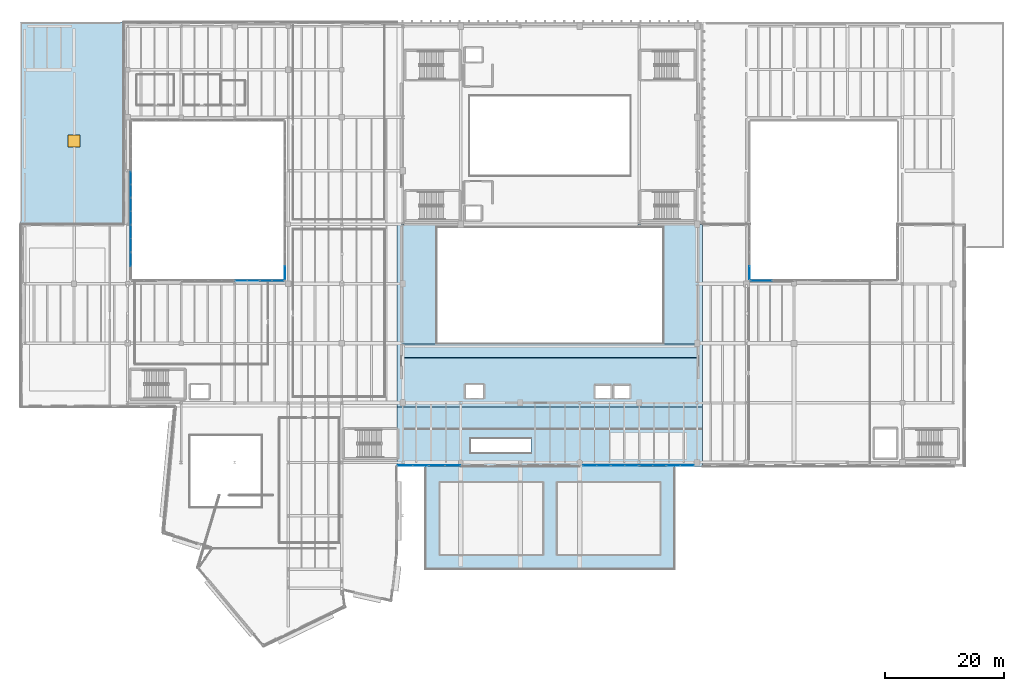
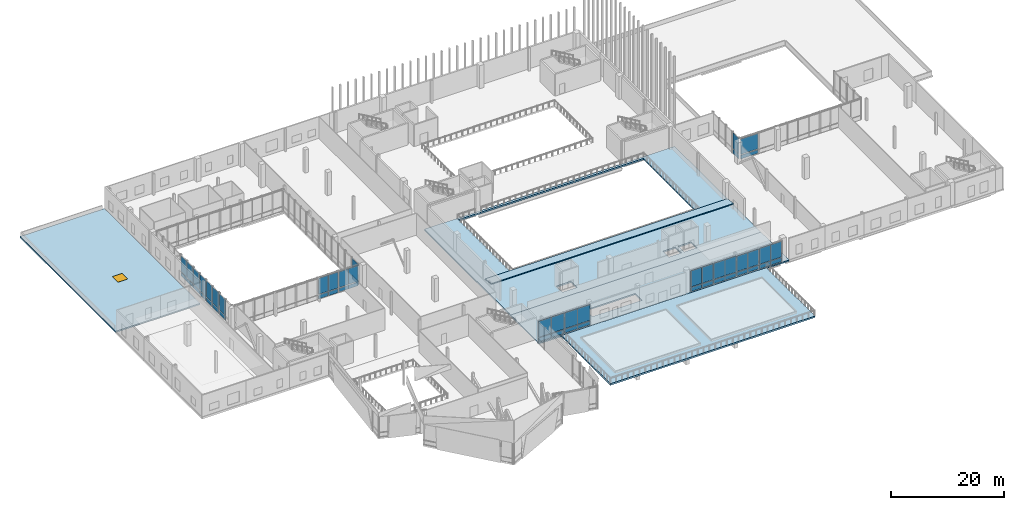
# One storey, part 36 of 60: 52 plates, 5 slabs, 1 window, 1 opening, 15 elements without a shape of their own.
"""IFC4 building model written with IfcOpenShell, lengths in metres."""

from ifc_helpers import new_model, si_unit, direction, frame, origin, origin_2d, place, context, subcontext, project, spatial, polyline, rectangle, outline, extrude, material, layer, layer_set, type_object, element, fill, aggregate, save


model = new_model("IFC4")

# Units and contexts
model_context = context("Model", 3, precision=1e-05, world=origin(), true_north=direction((0.0, 1.0)))
body_context = subcontext(model_context, "Body", "Model", "MODEL_VIEW")
ifc_project = project(units=[si_unit("LENGTHUNIT", "METRE"), si_unit("AREAUNIT", "SQUARE_METRE"), si_unit("VOLUMEUNIT", "CUBIC_METRE"), si_unit("PLANEANGLEUNIT", "RADIAN"), si_unit("MASSUNIT", "GRAM", prefix="KILO")], contexts=[model_context])

# Site, building, storey
site_placement = place(None, origin())
site = spatial("IfcSite", under=ifc_project, at=site_placement, CompositionType="ELEMENT")
building_placement = place(site_placement, origin())
building = spatial("IfcBuilding", under=site, at=building_placement, Name="Trimount Lyric Opera House", CompositionType="ELEMENT")
storey_placement = place(building_placement, frame((0.0, 0.0, 15.0)))
storey = spatial("IfcBuildingStorey", under=building, at=storey_placement, Name="L03", CompositionType="ELEMENT", Elevation=15.0)

# Curtain wall, plate
ifc_material_1 = material(Name="Thermally Broken Aluminium and Low-E Glass", Category="aluminium")
curtain_wall_type_1 = type_object("IfcCurtainWallType", Name="CW-03", PredefinedType="NOTDEFINED", material=ifc_material_1)
curtain_wall_1_placement = place(storey_placement, origin())
curtain_wall_1 = element("IfcCurtainWall", 1, at=curtain_wall_1_placement, inside=storey, type_object=curtain_wall_type_1, Name="L03 curtain wall 248", PredefinedType="NOTDEFINED")
ifc_material_2 = material(Name="Triple Low-E Acoustic Laminated Glass", Category="glass")
ifc_layer_1 = layer(ifc_material_2, 0.035888671875)
ifc_layer_set_1 = layer_set([ifc_layer_1], Name="CWP-01")
plate_type_1 = type_object("IfcPlateType", Name="CWP-01", PredefinedType="CURTAIN_PANEL", material=ifc_layer_set_1)
plate_1_placement = place(storey_placement, frame((122.5400390625, 75.83740234375, 0.114990234375), z_axis=(0.0, 0.0, 1.0), x_axis=(0.0, -1.0, 0.0)))
plate_1 = element("IfcPlate", 2, at=plate_1_placement, type_object=plate_type_1, Name="CW-03 panel 2.1", PredefinedType="CURTAIN_PANEL", context=body_context, shape_type="SweptSolid", body=[
    extrude(rectangle(XDim=2.195068359375, YDim=0.035888671875, at=origin_2d()), origin(), (0.0, 0.0, 1.0), 0.87744140625),
])

curtain_wall_2_placement = place(storey_placement, origin())
curtain_wall_2 = element("IfcCurtainWall", 3, at=curtain_wall_2_placement, inside=storey, type_object=curtain_wall_type_1, Name="L03 curtain wall 249", PredefinedType="NOTDEFINED")
plate_2_placement = place(storey_placement, frame((124.510009765625, 74.5400390625, 0.159912109375), z_axis=(0.0, 0.0, 1.0), x_axis=(1.0, 0.0, 0.0)))
plate_2 = element("IfcPlate", 4, at=plate_2_placement, type_object=plate_type_1, Name="CW-03 panel 1.1", PredefinedType="CURTAIN_PANEL", context=body_context, shape_type="SweptSolid", body=[
    extrude(rectangle(XDim=3.52001953125, YDim=0.035888671875, at=origin_2d()), origin(), (0.0, 0.0, 1.0), 0.81005859375),
])

# Curtain wall, plates
ifc_material_3 = material(Name="Thermally Broken Aluminium and Low-E Glass", Category="aluminium")
curtain_wall_type_2 = type_object("IfcCurtainWallType", Name="CW-05", PredefinedType="NOTDEFINED", material=ifc_material_3)
curtain_wall_3_placement = place(storey_placement, origin())
curtain_wall_3 = element("IfcCurtainWall", 5, at=curtain_wall_3_placement, inside=storey, type_object=curtain_wall_type_2, Name="L03 curtain wall 257", PredefinedType="NOTDEFINED")
plate_3_placement = place(storey_placement, frame((112.070068359375, 43.4599609375, 0.114990234375), z_axis=(0.0, 0.0, 1.0), x_axis=(-1.0, 0.0, 0.0)))
plate_3 = element("IfcPlate", 6, at=plate_3_placement, type_object=plate_type_1, Name="CW-05 panel 1.1", PredefinedType="CURTAIN_PANEL", context=body_context, shape_type="SweptSolid", body=[
    extrude(rectangle(XDim=2.219970703125, YDim=0.035888671875, at=origin_2d()), origin(), (0.0, 0.0, 1.0), 0.87744140625),
])
plate_4_placement = place(storey_placement, frame((109.7900390625, 43.4599609375, 0.114990234375), z_axis=(0.0, 0.0, 1.0), x_axis=(-1.0, 0.0, 0.0)))
plate_4 = element("IfcPlate", 7, at=plate_4_placement, type_object=plate_type_1, Name="CW-05 panel 2.1", PredefinedType="CURTAIN_PANEL", context=body_context, shape_type="SweptSolid", body=[
    extrude(rectangle(XDim=2.219970703125, YDim=0.035888671875, at=origin_2d()), origin(), (0.0, 0.0, 1.0), 0.87744140625),
])

curtain_wall_4_placement = place(storey_placement, origin())
curtain_wall_4 = element("IfcCurtainWall", 8, at=curtain_wall_4_placement, inside=storey, type_object=curtain_wall_type_2, Name="L03 curtain wall 258", PredefinedType="NOTDEFINED")
plate_5_placement = place(storey_placement, frame((107.3798828125, 43.4599609375, 0.159912109375), z_axis=(0.0, 0.0, 1.0), x_axis=(-1.0, 0.0, 0.0)))
plate_5 = element("IfcPlate", 9, at=plate_5_placement, type_object=plate_type_1, Name="CW-05 panel 1.1", PredefinedType="CURTAIN_PANEL", context=body_context, shape_type="SweptSolid", body=[
    extrude(rectangle(XDim=2.159912109375, YDim=0.035888671875, at=origin_2d()), origin(), (0.0, 0.0, 1.0), 0.81005859375),
])
plate_6_placement = place(storey_placement, frame((105.14990234375, 43.4599609375, 0.159912109375), z_axis=(0.0, 0.0, 1.0), x_axis=(-1.0, 0.0, 0.0)))
plate_6 = element("IfcPlate", 10, at=plate_6_placement, type_object=plate_type_1, Name="CW-05 panel 2.1", PredefinedType="CURTAIN_PANEL", context=body_context, shape_type="SweptSolid", body=[
    extrude(rectangle(XDim=2.159912109375, YDim=0.035888671875, at=origin_2d()), origin(), (0.0, 0.0, 1.0), 0.81005859375),
])

curtain_wall_5_placement = place(storey_placement, origin())
curtain_wall_5 = element("IfcCurtainWall", 11, at=curtain_wall_5_placement, inside=storey, type_object=curtain_wall_type_2, Name="L03 curtain wall 259", PredefinedType="NOTDEFINED")
plate_7_placement = place(storey_placement, frame((102.728759765625, 43.4599609375, 0.13525390625), z_axis=(0.0, 0.0, 1.0), x_axis=(-1.0, 0.0, 0.0)))
plate_7 = element("IfcPlate", 12, at=plate_7_placement, type_object=plate_type_1, Name="CW-05 panel 1.1", PredefinedType="CURTAIN_PANEL", context=body_context, shape_type="SweptSolid", body=[
    extrude(rectangle(XDim=2.232421875, YDim=0.035888671875, at=origin_2d()), origin(), (0.0, 0.0, 1.0), 0.847412109375),
])
plate_8_placement = place(storey_placement, frame((100.43115234375, 43.4599609375, 0.13525390625), z_axis=(0.0, 0.0, 1.0), x_axis=(-1.0, 0.0, 0.0)))
plate_8 = element("IfcPlate", 13, at=plate_8_placement, type_object=plate_type_1, Name="CW-05 panel 2.1", PredefinedType="CURTAIN_PANEL", context=body_context, shape_type="SweptSolid", body=[
    extrude(rectangle(XDim=2.232421875, YDim=0.035888671875, at=origin_2d()), origin(), (0.0, 0.0, 1.0), 0.847412109375),
])

curtain_wall_6_placement = place(storey_placement, origin())
curtain_wall_6 = element("IfcCurtainWall", 14, at=curtain_wall_6_placement, inside=storey, type_object=curtain_wall_type_2, Name="L03 curtain wall 260", PredefinedType="NOTDEFINED")
plate_9_placement = place(storey_placement, frame((97.97998046875, 43.4599609375, 0.114990234375), z_axis=(0.0, 0.0, 1.0), x_axis=(-1.0, 0.0, 0.0)))
plate_9 = element("IfcPlate", 15, at=plate_9_placement, type_object=plate_type_1, Name="CW-05 panel 1.1", PredefinedType="CURTAIN_PANEL", context=body_context, shape_type="SweptSolid", body=[
    extrude(rectangle(XDim=2.239990234375, YDim=0.035888671875, at=origin_2d()), origin(), (0.0, 0.0, 1.0), 0.87744140625),
])
plate_10_placement = place(storey_placement, frame((95.679931640625, 43.4599609375, 0.114990234375), z_axis=(0.0, 0.0, 1.0), x_axis=(-1.0, 0.0, 0.0)))
plate_10 = element("IfcPlate", 16, at=plate_10_placement, type_object=plate_type_1, Name="CW-05 panel 2.1", PredefinedType="CURTAIN_PANEL", context=body_context, shape_type="SweptSolid", body=[
    extrude(rectangle(XDim=2.239990234375, YDim=0.035888671875, at=origin_2d()), origin(), (0.0, 0.0, 1.0), 0.87744140625),
])

curtain_wall_7_placement = place(storey_placement, origin())
curtain_wall_7 = element("IfcCurtainWall", 17, at=curtain_wall_7_placement, inside=storey, type_object=curtain_wall_type_2, Name="L03 curtain wall 261", PredefinedType="NOTDEFINED")
plate_11_placement = place(storey_placement, frame((72.6474609375, 43.4599609375, 0.159912109375), z_axis=(0.0, 0.0, 1.0), x_axis=(-1.0, 0.0, 0.0)))
plate_11 = element("IfcPlate", 18, at=plate_11_placement, type_object=plate_type_1, Name="CW-05 panel 1.1", PredefinedType="CURTAIN_PANEL", context=body_context, shape_type="SweptSolid", body=[
    extrude(rectangle(XDim=2.56494140625, YDim=0.035888671875, at=origin_2d()), origin(), (0.0, 0.0, 1.0), 0.81005859375),
])
plate_12_placement = place(storey_placement, frame((70.012451171875, 43.4599609375, 0.159912109375), z_axis=(0.0, 0.0, 1.0), x_axis=(-1.0, 0.0, 0.0)))
plate_12 = element("IfcPlate", 19, at=plate_12_placement, type_object=plate_type_1, Name="CW-05 panel 2.1", PredefinedType="CURTAIN_PANEL", context=body_context, shape_type="SweptSolid", body=[
    extrude(rectangle(XDim=2.56494140625, YDim=0.035888671875, at=origin_2d()), origin(), (0.0, 0.0, 1.0), 0.81005859375),
])

curtain_wall_8_placement = place(storey_placement, origin())
curtain_wall_8 = element("IfcCurtainWall", 20, at=curtain_wall_8_placement, inside=storey, type_object=curtain_wall_type_2, Name="L03 curtain wall 262", PredefinedType="NOTDEFINED")
plate_13_placement = place(storey_placement, frame((67.2412109375, 43.4599609375, 0.13525390625), z_axis=(0.0, 0.0, 1.0), x_axis=(-1.0, 0.0, 0.0)))
plate_13 = element("IfcPlate", 21, at=plate_13_placement, type_object=plate_type_1, Name="CW-05 panel 1.1", PredefinedType="CURTAIN_PANEL", context=body_context, shape_type="SweptSolid", body=[
    extrude(rectangle(XDim=2.527587890625, YDim=0.035888671875, at=origin_2d()), origin(), (0.0, 0.0, 1.0), 0.847412109375),
])
plate_14_placement = place(storey_placement, frame((64.648681640625, 43.4599609375, 0.13525390625), z_axis=(0.0, 0.0, 1.0), x_axis=(-1.0, 0.0, 0.0)))
plate_14 = element("IfcPlate", 22, at=plate_14_placement, type_object=plate_type_1, Name="CW-05 panel 2.1", PredefinedType="CURTAIN_PANEL", context=body_context, shape_type="SweptSolid", body=[
    extrude(rectangle(XDim=2.527587890625, YDim=0.035888671875, at=origin_2d()), origin(), (0.0, 0.0, 1.0), 0.847412109375),
])

# Curtain wall, plate
curtain_wall_9_placement = place(storey_placement, origin())
curtain_wall_9 = element("IfcCurtainWall", 23, at=curtain_wall_9_placement, inside=storey, type_object=curtain_wall_type_1, Name="L03 curtain wall 277", PredefinedType="NOTDEFINED")
plate_15_placement = place(storey_placement, frame((44.4599609375, 75.861328125, 0.13525390625), z_axis=(0.0, 0.0, 1.0), x_axis=(0.0, 1.0, 0.0)))
plate_15 = element("IfcPlate", 24, at=plate_15_placement, type_object=plate_type_1, Name="CW-03 panel 1.1", PredefinedType="CURTAIN_PANEL", context=body_context, shape_type="SweptSolid", body=[
    extrude(rectangle(XDim=2.232421875, YDim=0.035888671875, at=origin_2d()), origin(), (0.0, 0.0, 1.0), 0.847412109375),
])

# Curtain wall, plates
curtain_wall_10_placement = place(storey_placement, origin())
curtain_wall_10 = element("IfcCurtainWall", 25, at=curtain_wall_10_placement, inside=storey, type_object=curtain_wall_type_1, Name="L03 curtain wall 291", PredefinedType="NOTDEFINED")
plate_16_placement = place(storey_placement, frame((18.5400390625, 91.7900390625, 0.159912109375), z_axis=(0.0, 0.0, 1.0), x_axis=(0.0, -1.0, 0.0)))
plate_16 = element("IfcPlate", 26, at=plate_16_placement, type_object=plate_type_1, Name="CW-03 panel 1.1", PredefinedType="CURTAIN_PANEL", context=body_context, shape_type="SweptSolid", body=[
    extrude(rectangle(XDim=2.10009765625, YDim=0.035888671875, at=origin_2d()), origin(), (0.0, 0.0, 1.0), 0.81005859375),
])
plate_17_placement = place(storey_placement, frame((18.5400390625, 89.6201171875, 0.159912109375), z_axis=(0.0, 0.0, 1.0), x_axis=(0.0, -1.0, 0.0)))
plate_17 = element("IfcPlate", 27, at=plate_17_placement, type_object=plate_type_1, Name="CW-03 panel 2.1", PredefinedType="CURTAIN_PANEL", context=body_context, shape_type="SweptSolid", body=[
    extrude(rectangle(XDim=2.10009765625, YDim=0.035888671875, at=origin_2d()), origin(), (0.0, 0.0, 1.0), 0.81005859375),
])

curtain_wall_11_placement = place(storey_placement, origin())
curtain_wall_11 = element("IfcCurtainWall", 28, at=curtain_wall_11_placement, inside=storey, type_object=curtain_wall_type_1, Name="L03 curtain wall 292", PredefinedType="NOTDEFINED")
plate_18_placement = place(storey_placement, frame((18.5400390625, 87.291259765625, 0.13525390625), z_axis=(0.0, 0.0, 1.0), x_axis=(0.0, -1.0, 0.0)))
plate_18 = element("IfcPlate", 29, at=plate_18_placement, type_object=plate_type_1, Name="CW-03 panel 1.1", PredefinedType="CURTAIN_PANEL", context=body_context, shape_type="SweptSolid", body=[
    extrude(rectangle(XDim=2.107421875, YDim=0.035888671875, at=origin_2d()), origin(), (0.0, 0.0, 1.0), 0.847412109375),
])
plate_19_placement = place(storey_placement, frame((18.5400390625, 85.11865234375, 0.13525390625), z_axis=(0.0, 0.0, 1.0), x_axis=(0.0, -1.0, 0.0)))
plate_19 = element("IfcPlate", 30, at=plate_19_placement, type_object=plate_type_1, Name="CW-03 panel 2.1", PredefinedType="CURTAIN_PANEL", context=body_context, shape_type="SweptSolid", body=[
    extrude(rectangle(XDim=2.107421875, YDim=0.035888671875, at=origin_2d()), origin(), (0.0, 0.0, 1.0), 0.847412109375),
])

curtain_wall_12_placement = place(storey_placement, origin())
curtain_wall_12 = element("IfcCurtainWall", 31, at=curtain_wall_12_placement, inside=storey, type_object=curtain_wall_type_1, Name="L03 curtain wall 293", PredefinedType="NOTDEFINED")
plate_20_placement = place(storey_placement, frame((18.5400390625, 82.75244140625, 0.114990234375), z_axis=(0.0, 0.0, 1.0), x_axis=(0.0, -1.0, 0.0)))
plate_20 = element("IfcPlate", 32, at=plate_20_placement, type_object=plate_type_1, Name="CW-03 panel 1.1", PredefinedType="CURTAIN_PANEL", context=body_context, shape_type="SweptSolid", body=[
    extrude(rectangle(XDim=2.195068359375, YDim=0.035888671875, at=origin_2d()), origin(), (0.0, 0.0, 1.0), 0.87744140625),
])
plate_21_placement = place(storey_placement, frame((18.5400390625, 80.49755859375, 0.114990234375), z_axis=(0.0, 0.0, 1.0), x_axis=(0.0, -1.0, 0.0)))
plate_21 = element("IfcPlate", 33, at=plate_21_placement, type_object=plate_type_1, Name="CW-03 panel 2.1", PredefinedType="CURTAIN_PANEL", context=body_context, shape_type="SweptSolid", body=[
    extrude(rectangle(XDim=2.195068359375, YDim=0.035888671875, at=origin_2d()), origin(), (0.0, 0.0, 1.0), 0.87744140625),
])

# Curtain wall, plate
curtain_wall_13_placement = place(storey_placement, origin())
curtain_wall_13 = element("IfcCurtainWall", 34, at=curtain_wall_13_placement, inside=storey, type_object=curtain_wall_type_1, Name="L03 curtain wall 294", PredefinedType="NOTDEFINED")
plate_22_placement = place(storey_placement, frame((18.5400390625, 78.090087890625, 0.159912109375), z_axis=(0.0, 0.0, 1.0), x_axis=(0.0, -1.0, 0.0)))
plate_22 = element("IfcPlate", 35, at=plate_22_placement, type_object=plate_type_1, Name="CW-03 panel 1.1", PredefinedType="CURTAIN_PANEL", context=body_context, shape_type="SweptSolid", body=[
    extrude(rectangle(XDim=2.179931640625, YDim=0.035888671875, at=origin_2d()), origin(), (0.0, 0.0, 1.0), 0.81005859375),
])

# Curtain wall, plates
curtain_wall_14_placement = place(storey_placement, origin())
curtain_wall_14 = element("IfcCurtainWall", 36, at=curtain_wall_14_placement, inside=storey, type_object=curtain_wall_type_1, Name="L03 curtain wall 299", PredefinedType="NOTDEFINED")
plate_23_placement = place(storey_placement, frame((37.12255859375, 74.5400390625, 0.114990234375), z_axis=(0.0, 0.0, 1.0), x_axis=(1.0, 0.0, 0.0)))
plate_23 = element("IfcPlate", 37, at=plate_23_placement, type_object=plate_type_1, Name="CW-03 panel 1.1", PredefinedType="CURTAIN_PANEL", context=body_context, shape_type="SweptSolid", body=[
    extrude(rectangle(XDim=1.945068359375, YDim=0.035888671875, at=origin_2d()), origin(), (0.0, 0.0, 1.0), 0.87744140625),
])
plate_24_placement = place(storey_placement, frame((39.12744140625, 74.5400390625, 0.114990234375), z_axis=(0.0, 0.0, 1.0), x_axis=(1.0, 0.0, 0.0)))
plate_24 = element("IfcPlate", 38, at=plate_24_placement, type_object=plate_type_1, Name="CW-03 panel 2.1", PredefinedType="CURTAIN_PANEL", context=body_context, shape_type="SweptSolid", body=[
    extrude(rectangle(XDim=1.945068359375, YDim=0.035888671875, at=origin_2d()), origin(), (0.0, 0.0, 1.0), 0.87744140625),
])

curtain_wall_15_placement = place(storey_placement, origin())
curtain_wall_15 = element("IfcCurtainWall", 39, at=curtain_wall_15_placement, inside=storey, type_object=curtain_wall_type_1, Name="L03 curtain wall 300", PredefinedType="NOTDEFINED")
plate_25_placement = place(storey_placement, frame((41.284912109375, 74.5400390625, 0.159912109375), z_axis=(0.0, 0.0, 1.0), x_axis=(1.0, 0.0, 0.0)))
plate_25 = element("IfcPlate", 40, at=plate_25_placement, type_object=plate_type_1, Name="CW-03 panel 1.1", PredefinedType="CURTAIN_PANEL", context=body_context, shape_type="SweptSolid", body=[
    extrude(rectangle(XDim=1.929931640625, YDim=0.035888671875, at=origin_2d()), origin(), (0.0, 0.0, 1.0), 0.81005859375),
])
plate_26_placement = place(storey_placement, frame((43.284912109375, 74.5400390625, 0.159912109375), z_axis=(0.0, 0.0, 1.0), x_axis=(1.0, 0.0, 0.0)))
plate_26 = element("IfcPlate", 41, at=plate_26_placement, type_object=plate_type_1, Name="CW-03 panel 2.1", PredefinedType="CURTAIN_PANEL", context=body_context, shape_type="SweptSolid", body=[
    extrude(rectangle(XDim=1.929931640625, YDim=0.035888671875, at=origin_2d()), origin(), (0.0, 0.0, 1.0), 0.81005859375),
])

# Plate
ifc_material_4 = material(Name="Insulated Aluminium Shadow-Box Spandrel Panel", Category="aluminium")
ifc_layer_2 = layer(ifc_material_4, 0.0419921875)
ifc_layer_set_2 = layer_set([ifc_layer_2], Name="CWP-04")
plate_type_2 = type_object("IfcPlateType", Name="CWP-04", PredefinedType="CURTAIN_PANEL", material=ifc_layer_set_2)
plate_27_placement = place(storey_placement, frame((122.5400390625, 75.83740234375, 1.107421875), z_axis=(0.0, 0.0, 1.0), x_axis=(0.0, -1.0, 0.0)))
plate_27 = element("IfcPlate", 42, at=plate_27_placement, type_object=plate_type_2, Name="CW-03 panel 2.2", PredefinedType="CURTAIN_PANEL", context=body_context, shape_type="SweptSolid", body=[
    extrude(rectangle(XDim=2.195068359375, YDim=0.035888671875, at=origin_2d()), origin(), (0.0, 0.0, 1.0), 3.427490234375),
])

aggregate(curtain_wall_1, [plate_1, plate_27])

plate_28_placement = place(storey_placement, frame((124.510009765625, 74.5400390625, 1.1298828125), z_axis=(0.0, 0.0, 1.0), x_axis=(1.0, 0.0, 0.0)))
plate_28 = element("IfcPlate", 43, at=plate_28_placement, type_object=plate_type_2, Name="CW-03 panel 1.2", PredefinedType="CURTAIN_PANEL", context=body_context, shape_type="SweptSolid", body=[
    extrude(rectangle(XDim=3.52001953125, YDim=0.035888671875, at=origin_2d()), origin(), (0.0, 0.0, 1.0), 3.360107421875),
])

aggregate(curtain_wall_2, [plate_2, plate_28])

plate_29_placement = place(storey_placement, frame((112.070068359375, 43.4599609375, 1.107421875), z_axis=(0.0, 0.0, 1.0), x_axis=(-1.0, 0.0, 0.0)))
plate_29 = element("IfcPlate", 44, at=plate_29_placement, type_object=plate_type_2, Name="CW-05 panel 1.2", PredefinedType="CURTAIN_PANEL", context=body_context, shape_type="SweptSolid", body=[
    extrude(rectangle(XDim=2.219970703125, YDim=0.035888671875, at=origin_2d()), origin(), (0.0, 0.0, 1.0), 3.427490234375),
])

plate_30_placement = place(storey_placement, frame((109.7900390625, 43.4599609375, 1.107421875), z_axis=(0.0, 0.0, 1.0), x_axis=(-1.0, 0.0, 0.0)))
plate_30 = element("IfcPlate", 45, at=plate_30_placement, type_object=plate_type_2, Name="CW-05 panel 2.2", PredefinedType="CURTAIN_PANEL", context=body_context, shape_type="SweptSolid", body=[
    extrude(rectangle(XDim=2.219970703125, YDim=0.035888671875, at=origin_2d()), origin(), (0.0, 0.0, 1.0), 3.427490234375),
])

aggregate(curtain_wall_3, [plate_3, plate_29, plate_4, plate_30])

plate_31_placement = place(storey_placement, frame((107.3798828125, 43.4599609375, 1.1298828125), z_axis=(0.0, 0.0, 1.0), x_axis=(-1.0, 0.0, 0.0)))
plate_31 = element("IfcPlate", 46, at=plate_31_placement, type_object=plate_type_2, Name="CW-05 panel 1.2", PredefinedType="CURTAIN_PANEL", context=body_context, shape_type="SweptSolid", body=[
    extrude(rectangle(XDim=2.159912109375, YDim=0.035888671875, at=origin_2d()), origin(), (0.0, 0.0, 1.0), 3.360107421875),
])

plate_32_placement = place(storey_placement, frame((105.14990234375, 43.4599609375, 1.1298828125), z_axis=(0.0, 0.0, 1.0), x_axis=(-1.0, 0.0, 0.0)))
plate_32 = element("IfcPlate", 47, at=plate_32_placement, type_object=plate_type_2, Name="CW-05 panel 2.2", PredefinedType="CURTAIN_PANEL", context=body_context, shape_type="SweptSolid", body=[
    extrude(rectangle(XDim=2.159912109375, YDim=0.035888671875, at=origin_2d()), origin(), (0.0, 0.0, 1.0), 3.360107421875),
])

aggregate(curtain_wall_4, [plate_5, plate_31, plate_6, plate_32])

plate_33_placement = place(storey_placement, frame((102.728759765625, 43.4599609375, 1.11767578125), z_axis=(0.0, 0.0, 1.0), x_axis=(-1.0, 0.0, 0.0)))
plate_33 = element("IfcPlate", 48, at=plate_33_placement, type_object=plate_type_2, Name="CW-05 panel 1.2", PredefinedType="CURTAIN_PANEL", context=body_context, shape_type="SweptSolid", body=[
    extrude(rectangle(XDim=2.232421875, YDim=0.035888671875, at=origin_2d()), origin(), (0.0, 0.0, 1.0), 3.467529296875),
])

plate_34_placement = place(storey_placement, frame((100.43115234375, 43.4599609375, 1.11767578125), z_axis=(0.0, 0.0, 1.0), x_axis=(-1.0, 0.0, 0.0)))
plate_34 = element("IfcPlate", 49, at=plate_34_placement, type_object=plate_type_2, Name="CW-05 panel 2.2", PredefinedType="CURTAIN_PANEL", context=body_context, shape_type="SweptSolid", body=[
    extrude(rectangle(XDim=2.232421875, YDim=0.035888671875, at=origin_2d()), origin(), (0.0, 0.0, 1.0), 3.467529296875),
])

aggregate(curtain_wall_5, [plate_7, plate_33, plate_8, plate_34])

plate_35_placement = place(storey_placement, frame((97.97998046875, 43.4599609375, 1.107421875), z_axis=(0.0, 0.0, 1.0), x_axis=(-1.0, 0.0, 0.0)))
plate_35 = element("IfcPlate", 50, at=plate_35_placement, type_object=plate_type_2, Name="CW-05 panel 1.2", PredefinedType="CURTAIN_PANEL", context=body_context, shape_type="SweptSolid", body=[
    extrude(rectangle(XDim=2.239990234375, YDim=0.035888671875, at=origin_2d()), origin(), (0.0, 0.0, 1.0), 3.49755859375),
])

plate_36_placement = place(storey_placement, frame((95.679931640625, 43.4599609375, 1.107421875), z_axis=(0.0, 0.0, 1.0), x_axis=(-1.0, 0.0, 0.0)))
plate_36 = element("IfcPlate", 51, at=plate_36_placement, type_object=plate_type_2, Name="CW-05 panel 2.2", PredefinedType="CURTAIN_PANEL", context=body_context, shape_type="SweptSolid", body=[
    extrude(rectangle(XDim=2.239990234375, YDim=0.035888671875, at=origin_2d()), origin(), (0.0, 0.0, 1.0), 3.49755859375),
])

aggregate(curtain_wall_6, [plate_9, plate_35, plate_10, plate_36])

plate_37_placement = place(storey_placement, frame((72.6474609375, 43.4599609375, 1.1298828125), z_axis=(0.0, 0.0, 1.0), x_axis=(-1.0, 0.0, 0.0)))
plate_37 = element("IfcPlate", 52, at=plate_37_placement, type_object=plate_type_2, Name="CW-05 panel 1.2", PredefinedType="CURTAIN_PANEL", context=body_context, shape_type="SweptSolid", body=[
    extrude(rectangle(XDim=2.56494140625, YDim=0.035888671875, at=origin_2d()), origin(), (0.0, 0.0, 1.0), 3.429931640625),
])

plate_38_placement = place(storey_placement, frame((70.012451171875, 43.4599609375, 1.1298828125), z_axis=(0.0, 0.0, 1.0), x_axis=(-1.0, 0.0, 0.0)))
plate_38 = element("IfcPlate", 53, at=plate_38_placement, type_object=plate_type_2, Name="CW-05 panel 2.2", PredefinedType="CURTAIN_PANEL", context=body_context, shape_type="SweptSolid", body=[
    extrude(rectangle(XDim=2.56494140625, YDim=0.035888671875, at=origin_2d()), origin(), (0.0, 0.0, 1.0), 3.429931640625),
])

aggregate(curtain_wall_7, [plate_11, plate_37, plate_12, plate_38])

plate_39_placement = place(storey_placement, frame((67.2412109375, 43.4599609375, 1.11767578125), z_axis=(0.0, 0.0, 1.0), x_axis=(-1.0, 0.0, 0.0)))
plate_39 = element("IfcPlate", 54, at=plate_39_placement, type_object=plate_type_2, Name="CW-05 panel 1.2", PredefinedType="CURTAIN_PANEL", context=body_context, shape_type="SweptSolid", body=[
    extrude(rectangle(XDim=2.527587890625, YDim=0.035888671875, at=origin_2d()), origin(), (0.0, 0.0, 1.0), 3.467529296875),
])

plate_40_placement = place(storey_placement, frame((64.648681640625, 43.4599609375, 1.11767578125), z_axis=(0.0, 0.0, 1.0), x_axis=(-1.0, 0.0, 0.0)))
plate_40 = element("IfcPlate", 55, at=plate_40_placement, type_object=plate_type_2, Name="CW-05 panel 2.2", PredefinedType="CURTAIN_PANEL", context=body_context, shape_type="SweptSolid", body=[
    extrude(rectangle(XDim=2.527587890625, YDim=0.035888671875, at=origin_2d()), origin(), (0.0, 0.0, 1.0), 3.467529296875),
])

aggregate(curtain_wall_8, [plate_13, plate_39, plate_14, plate_40])

plate_41_placement = place(storey_placement, frame((44.4599609375, 75.861328125, 1.11767578125), z_axis=(0.0, 0.0, 1.0), x_axis=(0.0, 1.0, 0.0)))
plate_41 = element("IfcPlate", 56, at=plate_41_placement, type_object=plate_type_2, Name="CW-03 panel 1.2", PredefinedType="CURTAIN_PANEL", context=body_context, shape_type="SweptSolid", body=[
    extrude(rectangle(XDim=2.232421875, YDim=0.035888671875, at=origin_2d()), origin(), (0.0, 0.0, 1.0), 3.467529296875),
])

aggregate(curtain_wall_9, [plate_15, plate_41])

plate_42_placement = place(storey_placement, frame((18.5400390625, 91.7900390625, 1.1298828125), z_axis=(0.0, 0.0, 1.0), x_axis=(0.0, -1.0, 0.0)))
plate_42 = element("IfcPlate", 57, at=plate_42_placement, type_object=plate_type_2, Name="CW-03 panel 1.2", PredefinedType="CURTAIN_PANEL", context=body_context, shape_type="SweptSolid", body=[
    extrude(rectangle(XDim=2.10009765625, YDim=0.035888671875, at=origin_2d()), origin(), (0.0, 0.0, 1.0), 3.429931640625),
])

plate_43_placement = place(storey_placement, frame((18.5400390625, 89.6201171875, 1.1298828125), z_axis=(0.0, 0.0, 1.0), x_axis=(0.0, -1.0, 0.0)))
plate_43 = element("IfcPlate", 58, at=plate_43_placement, type_object=plate_type_2, Name="CW-03 panel 2.2", PredefinedType="CURTAIN_PANEL", context=body_context, shape_type="SweptSolid", body=[
    extrude(rectangle(XDim=2.10009765625, YDim=0.035888671875, at=origin_2d()), origin(), (0.0, 0.0, 1.0), 3.429931640625),
])

aggregate(curtain_wall_10, [plate_16, plate_42, plate_17, plate_43])

plate_44_placement = place(storey_placement, frame((18.5400390625, 87.291259765625, 1.11767578125), z_axis=(0.0, 0.0, 1.0), x_axis=(0.0, -1.0, 0.0)))
plate_44 = element("IfcPlate", 59, at=plate_44_placement, type_object=plate_type_2, Name="CW-03 panel 1.2", PredefinedType="CURTAIN_PANEL", context=body_context, shape_type="SweptSolid", body=[
    extrude(rectangle(XDim=2.107421875, YDim=0.035888671875, at=origin_2d()), origin(), (0.0, 0.0, 1.0), 3.467529296875),
])

plate_45_placement = place(storey_placement, frame((18.5400390625, 85.11865234375, 1.11767578125), z_axis=(0.0, 0.0, 1.0), x_axis=(0.0, -1.0, 0.0)))
plate_45 = element("IfcPlate", 60, at=plate_45_placement, type_object=plate_type_2, Name="CW-03 panel 2.2", PredefinedType="CURTAIN_PANEL", context=body_context, shape_type="SweptSolid", body=[
    extrude(rectangle(XDim=2.107421875, YDim=0.035888671875, at=origin_2d()), origin(), (0.0, 0.0, 1.0), 3.467529296875),
])

aggregate(curtain_wall_11, [plate_18, plate_44, plate_19, plate_45])

plate_46_placement = place(storey_placement, frame((18.5400390625, 82.75244140625, 1.107421875), z_axis=(0.0, 0.0, 1.0), x_axis=(0.0, -1.0, 0.0)))
plate_46 = element("IfcPlate", 61, at=plate_46_placement, type_object=plate_type_2, Name="CW-03 panel 1.2", PredefinedType="CURTAIN_PANEL", context=body_context, shape_type="SweptSolid", body=[
    extrude(rectangle(XDim=2.195068359375, YDim=0.035888671875, at=origin_2d()), origin(), (0.0, 0.0, 1.0), 3.49755859375),
])

plate_47_placement = place(storey_placement, frame((18.5400390625, 80.49755859375, 1.107421875), z_axis=(0.0, 0.0, 1.0), x_axis=(0.0, -1.0, 0.0)))
plate_47 = element("IfcPlate", 62, at=plate_47_placement, type_object=plate_type_2, Name="CW-03 panel 2.2", PredefinedType="CURTAIN_PANEL", context=body_context, shape_type="SweptSolid", body=[
    extrude(rectangle(XDim=2.195068359375, YDim=0.035888671875, at=origin_2d()), origin(), (0.0, 0.0, 1.0), 3.49755859375),
])

aggregate(curtain_wall_12, [plate_20, plate_46, plate_21, plate_47])

plate_48_placement = place(storey_placement, frame((18.5400390625, 78.090087890625, 1.1298828125), z_axis=(0.0, 0.0, 1.0), x_axis=(0.0, -1.0, 0.0)))
plate_48 = element("IfcPlate", 63, at=plate_48_placement, type_object=plate_type_2, Name="CW-03 panel 1.2", PredefinedType="CURTAIN_PANEL", context=body_context, shape_type="SweptSolid", body=[
    extrude(rectangle(XDim=2.179931640625, YDim=0.035888671875, at=origin_2d()), origin(), (0.0, 0.0, 1.0), 3.429931640625),
])

aggregate(curtain_wall_13, [plate_22, plate_48])

plate_49_placement = place(storey_placement, frame((37.12255859375, 74.5400390625, 1.107421875), z_axis=(0.0, 0.0, 1.0), x_axis=(1.0, 0.0, 0.0)))
plate_49 = element("IfcPlate", 64, at=plate_49_placement, type_object=plate_type_2, Name="CW-03 panel 1.2", PredefinedType="CURTAIN_PANEL", context=body_context, shape_type="SweptSolid", body=[
    extrude(rectangle(XDim=1.945068359375, YDim=0.035888671875, at=origin_2d()), origin(), (0.0, 0.0, 1.0), 3.49755859375),
])

plate_50_placement = place(storey_placement, frame((39.12744140625, 74.5400390625, 1.107421875), z_axis=(0.0, 0.0, 1.0), x_axis=(1.0, 0.0, 0.0)))
plate_50 = element("IfcPlate", 65, at=plate_50_placement, type_object=plate_type_2, Name="CW-03 panel 2.2", PredefinedType="CURTAIN_PANEL", context=body_context, shape_type="SweptSolid", body=[
    extrude(rectangle(XDim=1.945068359375, YDim=0.035888671875, at=origin_2d()), origin(), (0.0, 0.0, 1.0), 3.49755859375),
])

aggregate(curtain_wall_14, [plate_23, plate_49, plate_24, plate_50])

plate_51_placement = place(storey_placement, frame((41.284912109375, 74.5400390625, 1.1298828125), z_axis=(0.0, 0.0, 1.0), x_axis=(1.0, 0.0, 0.0)))
plate_51 = element("IfcPlate", 66, at=plate_51_placement, type_object=plate_type_2, Name="CW-03 panel 1.2", PredefinedType="CURTAIN_PANEL", context=body_context, shape_type="SweptSolid", body=[
    extrude(rectangle(XDim=1.929931640625, YDim=0.035888671875, at=origin_2d()), origin(), (0.0, 0.0, 1.0), 3.429931640625),
])

plate_52_placement = place(storey_placement, frame((43.284912109375, 74.5400390625, 1.1298828125), z_axis=(0.0, 0.0, 1.0), x_axis=(1.0, 0.0, 0.0)))
plate_52 = element("IfcPlate", 67, at=plate_52_placement, type_object=plate_type_2, Name="CW-03 panel 2.2", PredefinedType="CURTAIN_PANEL", context=body_context, shape_type="SweptSolid", body=[
    extrude(rectangle(XDim=1.929931640625, YDim=0.035888671875, at=origin_2d()), origin(), (0.0, 0.0, 1.0), 3.429931640625),
])

aggregate(curtain_wall_15, [plate_25, plate_51, plate_26, plate_52])

# Slabs
ifc_material_5 = material(Name="Concrete C40/50", Category="concrete")
ifc_layer_3 = layer(ifc_material_5, 0.280029296875)
ifc_layer_set_3 = layer_set([ifc_layer_3], Name="SL-FL280")
slab_type_1 = type_object("IfcSlabType", Name="SL-FL280", PredefinedType="FLOOR", material=ifc_layer_set_3)
slab_1_placement = place(storey_placement, frame((0.0, 0.0, -0.280029296875)))
element("IfcSlab", 68, at=slab_1_placement, inside=storey, type_object=slab_type_1, Name="L03 floor slab L03-FOYER", PredefinedType="FLOOR", context=body_context, shape_type="SweptSolid", body=[
    extrude(outline(polyline([(114.679931640625, 43.320068359375), (63.320068359375, 43.320068359375), (63.320068359375, 53.320068359375), (114.679931640625, 53.320068359375), (114.679931640625, 43.320068359375)]), holes=[polyline([(85.7900390625, 48.0), (75.64990234375, 48.0), (75.64990234375, 45.60009765625), (85.7900390625, 45.60009765625), (85.7900390625, 48.0)])]), origin(), (0.0, 0.0, 1.0), 0.280029296875),
])
ifc_material_6 = material(Name="Concrete C40/50", Category="concrete")
ifc_layer_4 = layer(ifc_material_6, 0.324951171875)
ifc_layer_set_4 = layer_set([ifc_layer_4], Name="SL-FL325")
slab_type_2 = type_object("IfcSlabType", Name="SL-FL325", PredefinedType="FLOOR", material=ifc_layer_set_4)
slab_2_placement = place(storey_placement, frame((0.0, 0.0, -0.324951171875)))
element("IfcSlab", 69, at=slab_2_placement, inside=storey, type_object=slab_type_2, Name="L03 floor slab L03-VOL1-S", PredefinedType="FLOOR", context=body_context, shape_type="SweptSolid", body=[
    extrude(outline(polyline([(114.679931640625, 84.0), (114.679931640625, 53.320068359375), (63.320068359375, 53.320068359375), (63.320068359375, 84.0), (114.679931640625, 84.0)]), holes=[polyline([(70.0, 64.0), (108.0, 64.0), (108.0, 83.5), (70.0, 83.5), (70.0, 64.0)]), polyline([(102.39990234375, 56.89990234375), (99.800048828125, 56.89990234375), (99.800048828125, 54.800048828125), (102.39990234375, 54.800048828125), (102.39990234375, 56.89990234375)]), polyline([(99.199951171875, 56.89990234375), (96.60009765625, 56.89990234375), (96.60009765625, 54.800048828125), (99.199951171875, 54.800048828125), (99.199951171875, 56.89990234375)]), polyline([(77.800048828125, 57.0), (74.800048828125, 57.0), (74.800048828125, 54.800048828125), (77.800048828125, 54.800048828125), (77.800048828125, 57.0)])]), origin(), (0.0, 0.0, 1.0), 0.324951171875),
])

# Slab, opening, window
ifc_material_7 = material(Name="Concrete C40/50", Category="concrete")
ifc_layer_5 = layer(ifc_material_7, 0.2900390625)
ifc_layer_set_5 = layer_set([ifc_layer_5], Name="SL-RF290")
slab_type_3 = type_object("IfcSlabType", Name="SL-RF290", PredefinedType="ROOF", material=ifc_layer_set_5)
slab_3_placement = place(storey_placement, frame((0.0, 0.0, -0.2900390625)))
slab_3 = element("IfcSlab", 70, at=slab_3_placement, inside=storey, type_object=slab_type_3, Name="Outer west orchestra hall roof", PredefinedType="ROOF", context=body_context, shape_type="SweptSolid", body=[
    extrude(outline(polyline([(17.31005859375, 118.0), (17.31005859375, 84.010009765625), (0.0, 84.010009765625), (0.0, 118.0), (17.31005859375, 118.0)])), origin(), (0.0, 0.0, 1.0), 0.2900390625),
])
opening_placement = place(slab_3_placement, frame((9.0, 98.0, 0.0)))
opening = element("IfcOpeningElement", 71, at=opening_placement, cuts=slab_3, Name="Opening WT-SKY2", PredefinedType="OPENING", context=body_context, shape_type="SweptSolid", body=[
    extrude(rectangle(XDim=2.0, YDim=2.0, at=origin_2d()), frame((0.0, 0.0, -0.010009765625)), (0.0, 0.0, 1.0), 0.31005859375),
])
ifc_material_8 = material(Name="Thermally Broken Roof Access Skylight")
window_type = type_object("IfcWindowType", Name="WT-SKY2", PartitioningType="SINGLE_PANEL", PredefinedType="SKYLIGHT", material=ifc_material_8)
window_placement = place(opening_placement, frame((0.0, 0.0, 0.239990234375)))
window = element("IfcWindow", 72, at=window_placement, inside=storey, type_object=window_type, Name="West Orchestra Hall Acoustic Skylight", OverallHeight=2.0, OverallWidth=2.0, PartitioningType="SINGLE_PANEL", PredefinedType="SKYLIGHT", context=body_context, shape_type="SweptSolid", body=[
    extrude(rectangle(XDim=2.0, YDim=2.0, at=origin_2d()), origin(), (0.0, 0.0, 1.0), 0.050048828125),
])
fill(opening, window)

# Slabs
ifc_material_9 = material(Name="Concrete C40/50", Category="concrete")
ifc_layer_6 = layer(ifc_material_9, 0.35009765625)
ifc_layer_set_6 = layer_set([ifc_layer_6], Name="SL-TERR350")
slab_type_4 = type_object("IfcSlabType", Name="SL-TERR350", PredefinedType="FLOOR", material=ifc_layer_set_6)
slab_4_placement = place(storey_placement, frame((0.0, 0.0, -0.35009765625)))
element("IfcSlab", 73, at=slab_4_placement, inside=storey, type_object=slab_type_4, Name="L03 terrace slab L03-RG-SOUTH", PredefinedType="FLOOR", context=body_context, shape_type="SweptSolid", body=[
    extrude(outline(polyline([(110.0, 26.0), (68.0, 26.0), (68.0, 43.320068359375), (110.0, 43.320068359375), (110.0, 26.0)])), origin(), (0.0, 0.0, 1.0), 0.35009765625),
])
ifc_material_10 = material(Name="Precast concrete C40/50", Category="concrete")
ifc_layer_7 = layer(ifc_material_10, 0.1650390625)
ifc_layer_set_7 = layer_set([ifc_layer_7], Name="SL-TIER165")
slab_type_5 = type_object("IfcSlabType", Name="SL-TIER165", PredefinedType="USERDEFINED", material=ifc_layer_set_7)
slab_5_placement = place(storey_placement, frame((64.14990234375, 63.85009765625, 1.14990234375), z_axis=(0.0, 0.153748879626, 0.988109954415), x_axis=(1.0, 0.0, 0.0)))
element("IfcSlab", 74, at=slab_5_placement, inside=storey, type_object=slab_type_5, Name="Grand Tier Balcony Tier", ObjectType="SEATING_TIER", PredefinedType="USERDEFINED", context=body_context, shape_type="SweptSolid", body=[
    extrude(outline(polyline([(0.0, 0.0), (49.7001953125, 0.0), (49.7001953125, -2.277074519841576), (0.0, -2.277074519841576), (0.0, 0.0)])), origin(), (0.0, 0.0, -1.0), 0.1650390625),
])

save(model, "model.ifc")
